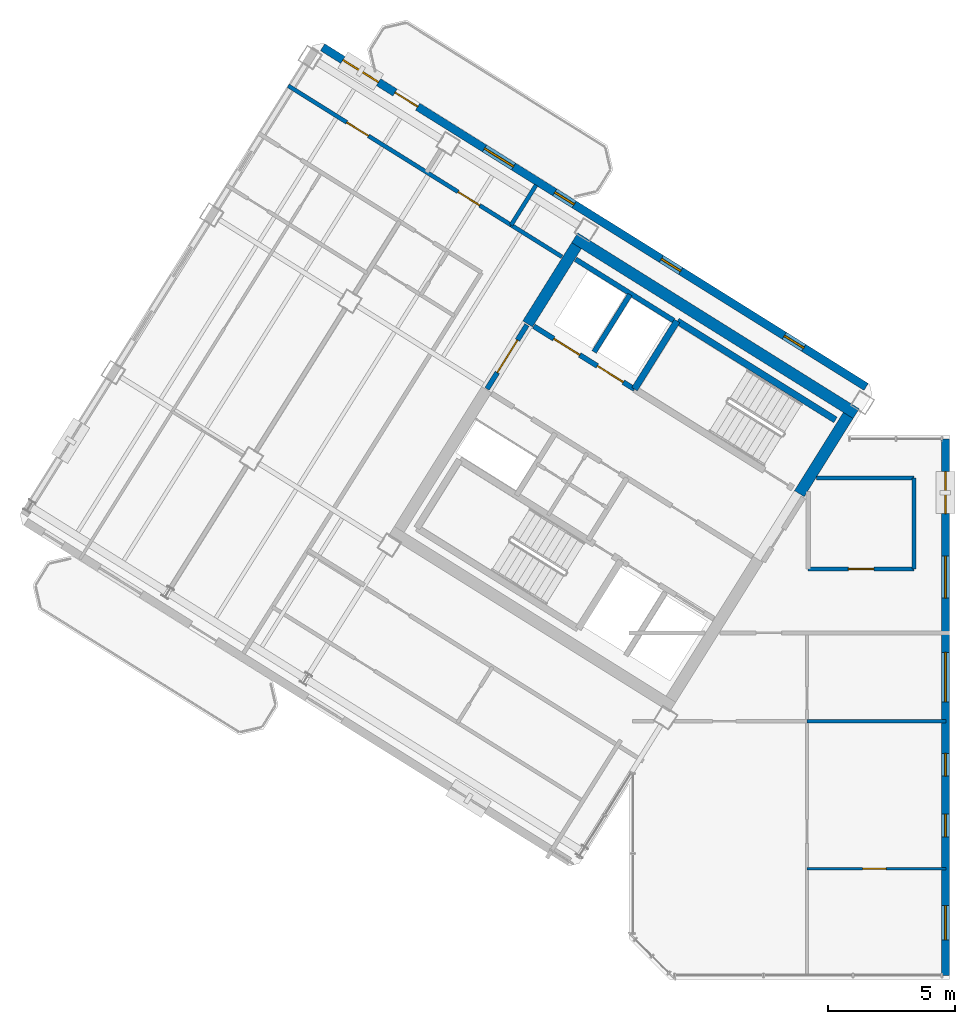
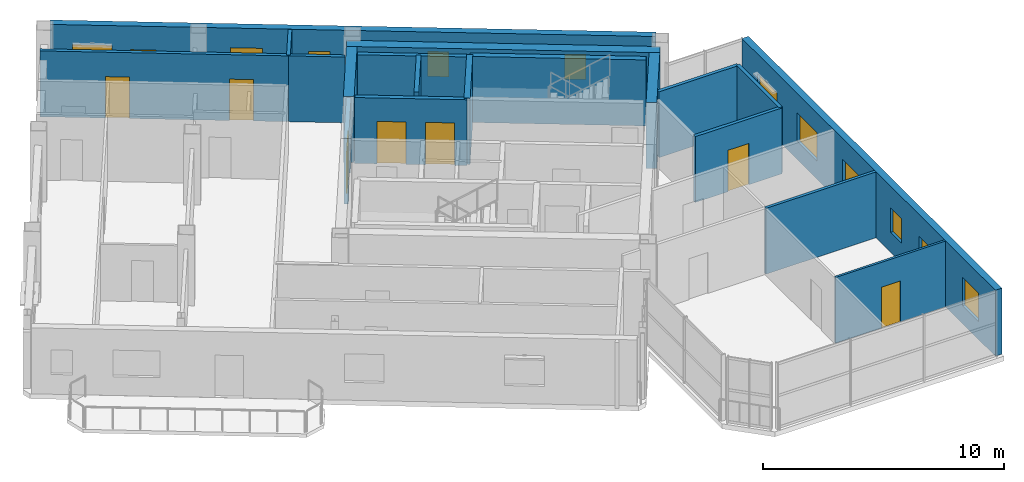
# One storey, part 9 of 12: 19 walls, 11 windows, 8 doors, 19 openings.
"""IFC4 building model written with IfcOpenShell, lengths in metres."""

from ifc_helpers import new_model, si_unit, direction, frame, frame_2d, origin, place, context, subcontext, project, spatial, rectangle, extrude, source, transform, mapped, material, layer, layer_set, type_object, element, fill, save


model = new_model("IFC4")

# Units and contexts
model_context = context("Model", 3, precision=1e-05, world=origin(), true_north=direction((0.0, 1.0)))
body_context = subcontext(model_context, "Body", "Model", "MODEL_VIEW")
ifc_project = project(units=[si_unit("LENGTHUNIT", "METRE"), si_unit("AREAUNIT", "SQUARE_METRE"), si_unit("VOLUMEUNIT", "CUBIC_METRE"), si_unit("PLANEANGLEUNIT", "RADIAN"), si_unit("MASSUNIT", "GRAM", prefix="KILO")], contexts=[model_context])

# Site, building, storey
site_placement = place(None, origin())
site = spatial("IfcSite", under=ifc_project, at=site_placement, CompositionType="ELEMENT")
building_placement = place(site_placement, origin())
building = spatial("IfcBuilding", under=site, at=building_placement, Name="Tlacorven Tower", CompositionType="ELEMENT")
storey_placement = place(building_placement, frame((0.0, 0.0, 288.0)))
storey = spatial("IfcBuildingStorey", under=building, at=storey_placement, Name="L73", CompositionType="ELEMENT", Elevation=288.0)

# Walls
ifc_material_1 = material(Name="Concrete C50/60", Category="concrete")
ifc_layer_1 = layer(ifc_material_1, 0.449951171875)
ifc_layer_set_1 = layer_set([ifc_layer_1], Name="Concrete C50/60")
wall_type_1 = type_object("IfcWallType", Name="WL-COR-450", PredefinedType="SHEAR", material=ifc_layer_set_1)
wall_1_placement = place(storey_placement, frame((40.53076171875, 24.036376953125, 0.0), z_axis=(0.0, 0.0, 1.0), x_axis=(-0.848048787466, 0.529918157905, 0.0)))
element("IfcWall", 1, at=wall_1_placement, inside=storey, type_object=wall_type_1, Name="L73 W core shear wall S1", PredefinedType="SHEAR", context=body_context, shape_type="SweptSolid", body=[
    extrude(rectangle(XDim=13.0400390625, YDim=0.449951171875, at=frame_2d((6.52001953125, 0.0))), origin(), (0.0, 0.0, 1.0), 3.35009765625),
])
for number, where, z_axis, x_axis, name in (
    (2, (40.220703125, 23.96484375, 0.0), (0.0, 0.0, 1.0), (-0.529902075036, -0.848058836916, 0.0), "L73 W core end wall E1.1"),
    (3, (29.543701171875, 30.636474609375, 0.0), (0.0, 0.0, 1.0), (-0.529902075036, -0.848058836916, 0.0), "L73 W core end wall E2.1"),
):
    element("IfcWall", number, at=place(storey_placement, frame(where, z_axis=z_axis, x_axis=x_axis)), inside=storey, type_object=wall_type_1, Name=name, PredefinedType="SHEAR", context=body_context, shape_type="SweptSolid", body=[
        extrude(rectangle(XDim=3.625, YDim=0.449951171875, at=frame_2d((1.8125, 0.0))), origin(), (0.0, 0.0, 1.0), 3.35009765625),
    ])
ifc_material_2 = material(Name="Gypsum plasterboard acoustic partition", Category="gypsum")
ifc_layer_2 = layer(ifc_material_2, 0.159912109375)
ifc_layer_set_2 = layer_set([ifc_layer_2], Name="Gypsum plasterboard acoustic partition")
wall_type_2 = type_object("IfcWallType", Name="WL-DEM-160", PredefinedType="PARTITIONING", material=ifc_layer_set_2)
wall_2_placement = place(storey_placement, frame((28.972412109375, 30.197509765625, 0.0), z_axis=(0.0, 0.0, 1.0), x_axis=(-0.848015752453, 0.529971021464, 0.0)))
element("IfcWall", 4, at=wall_2_placement, inside=storey, type_object=wall_type_2, Name="L73 partition 22", PredefinedType="PARTITIONING", context=body_context, shape_type="SweptSolid", body=[
    extrude(rectangle(XDim=2.358154296875, YDim=0.159912109375, at=frame_2d((1.17919921875, 0.0))), origin(), (0.0, 0.0, 1.0), 3.340087890625),
])
wall_3_placement = place(storey_placement, frame((27.952880859375, 33.01611328125, 0.0), z_axis=(0.0, 0.0, 1.0), x_axis=(-0.529880305451, -0.848072439061, 0.0)))
element("IfcWall", 5, at=wall_3_placement, inside=storey, type_object=wall_type_2, Name="L73 partition 24", PredefinedType="PARTITIONING", context=body_context, shape_type="SweptSolid", body=[
    extrude(rectangle(XDim=1.849853515625, YDim=0.159912109375, at=frame_2d((0.9248046875, 0.0))), origin(), (0.0, 0.0, 1.0), 3.340087890625),
])

# Wall, openings, doors
wall_4_placement = place(storey_placement, frame((26.97265625, 31.447265625, 0.0), z_axis=(0.0, 0.0, 1.0), x_axis=(-0.84805406617, 0.529909710094, 0.0)))
wall_4 = element("IfcWall", 6, at=wall_4_placement, inside=storey, type_object=wall_type_2, Name="L73 Wing W Corridor South Wall", PredefinedType="PARTITIONING", context=body_context, shape_type="SweptSolid", body=[
    extrude(rectangle(XDim=10.329833984375, YDim=0.159912109375, at=frame_2d((5.1650390625, 0.0))), origin(), (0.0, 0.0, 1.0), 3.340087890625),
])
opening_1_placement = place(wall_4_placement, frame((1.458984375, 0.0, 0.0)))
opening_1 = element("IfcOpeningElement", 7, at=opening_1_placement, cuts=wall_4, Name="Opening D11", PredefinedType="OPENING", context=body_context, shape_type="SweptSolid", body=[
    extrude(rectangle(XDim=1.0, YDim=2.10009765625, at=frame_2d((0.5, 1.050048828125))), frame((0.0, 0.08984375, 0.0), z_axis=(0.0, -1.0, 0.0), x_axis=(1.0, 0.0, 0.0)), (0.0, 0.0, 1.0), 0.179931640625),
])
opening_2_placement = place(wall_4_placement, frame((6.614013671875, 0.0, 0.0)))
opening_2 = element("IfcOpeningElement", 8, at=opening_2_placement, cuts=wall_4, Name="Opening D11", PredefinedType="OPENING", context=body_context, shape_type="SweptSolid", body=[
    extrude(rectangle(XDim=1.0, YDim=2.10009765625, at=frame_2d((0.5, 1.050048828125))), frame((0.0, 0.08984375, 0.0), z_axis=(0.0, -1.0, 0.0), x_axis=(1.0, 0.0, 0.0)), (0.0, 0.0, 1.0), 0.179931640625),
])
ifc_material_3 = material(Name="Fire-rated steel door assembly", Category="steel")
door_type_1 = type_object("IfcDoorType", Name="DR-FLT-FD60-1000", OperationType="NOTDEFINED", PredefinedType="DOOR", material=ifc_material_3)
shared_shape_1 = source(origin(), body_context, "Body", "SweptSolid", [
    extrude(rectangle(XDim=1.0, YDim=2.10009765625, at=frame_2d((0.5, 1.050048828125))), frame((0.0, 0.02490234375, 0.0), z_axis=(0.0, -1.0, 0.0), x_axis=(1.0, 0.0, 0.0)), (0.0, 0.0, 1.0), 0.050048828125),
])
door_1_placement = place(opening_1_placement, frame((1.0, 0.0, 0.0), z_axis=(0.0, 0.0, 1.0), x_axis=(-1.0, 0.0, 0.0)))
door_1 = element("IfcDoor", 9, at=door_1_placement, inside=storey, type_object=door_type_1, Name="L73 door 023", OperationType="SINGLE_SWING_RIGHT", OverallHeight=2.10009765625, OverallWidth=1.0, PredefinedType="DOOR", context=body_context, shape_type="MappedRepresentation", body=[
    mapped(shared_shape_1, transform((0.0, 0.0, 0.0), scale=1.0)),
])
fill(opening_1, door_1)
door_2_placement = place(opening_2_placement, frame((1.0, 0.0, 0.0), z_axis=(0.0, 0.0, 1.0), x_axis=(-1.0, 0.0, 0.0)))
door_2 = element("IfcDoor", 10, at=door_2_placement, inside=storey, type_object=door_type_1, Name="L73 door 024", OperationType="SINGLE_SWING_LEFT", OverallHeight=2.10009765625, OverallWidth=1.0, PredefinedType="DOOR", context=body_context, shape_type="MappedRepresentation", body=[
    mapped(shared_shape_1, transform((0.0, 0.0, 0.0), scale=1.0)),
])
fill(opening_2, door_2)

# Wall, opening, door
wall_5_placement = place(storey_placement, frame((38.64990234375, 17.929931640625, 0.0), z_axis=(0.0, 0.0, 1.0), x_axis=(1.0, 0.0, 0.0)))
wall_5 = element("IfcWall", 11, at=wall_5_placement, inside=storey, type_object=wall_type_2, Name="L73 partition 43", PredefinedType="PARTITIONING", context=body_context, shape_type="SweptSolid", body=[
    extrude(rectangle(XDim=4.150146484375, YDim=0.159912109375, at=frame_2d((2.0751953125, 0.0))), origin(), (0.0, 0.0, 1.0), 3.340087890625),
])
opening_3_placement = place(wall_5_placement, frame((1.574951171875, 0.0, 0.0)))
opening_3 = element("IfcOpeningElement", 12, at=opening_3_placement, cuts=wall_5, Name="Opening D11", PredefinedType="OPENING", context=body_context, shape_type="SweptSolid", body=[
    extrude(rectangle(XDim=1.0, YDim=2.10009765625, at=frame_2d((0.5, 1.050048828125))), frame((0.0, 0.08984375, 0.0), z_axis=(0.0, -1.0, 0.0), x_axis=(1.0, 0.0, 0.0)), (0.0, 0.0, 1.0), 0.179931640625),
])
door_3_placement = place(opening_3_placement, origin())
door_3 = element("IfcDoor", 13, at=door_3_placement, inside=storey, type_object=door_type_1, Name="L73 door 028", OperationType="SINGLE_SWING_LEFT", OverallHeight=2.10009765625, OverallWidth=1.0, PredefinedType="DOOR", context=body_context, shape_type="MappedRepresentation", body=[
    mapped(shared_shape_1, transform((0.0, 0.0, 0.0), scale=1.0)),
])
fill(opening_3, door_3)

# Walls
wall_6_placement = place(storey_placement, frame((42.800048828125, 17.929931640625, 0.0), z_axis=(0.0, 0.0, 1.0), x_axis=(0.0, 1.0, 0.0)))
element("IfcWall", 14, at=wall_6_placement, inside=storey, type_object=wall_type_2, Name="L73 partition 45", PredefinedType="PARTITIONING", context=body_context, shape_type="SweptSolid", body=[
    extrude(rectangle(XDim=3.570068359375, YDim=0.159912109375, at=frame_2d((1.78515625, 0.0))), origin(), (0.0, 0.0, 1.0), 3.340087890625),
])
wall_7_placement = place(storey_placement, frame((38.9775390625, 21.5, 0.0), z_axis=(0.0, 0.0, 1.0), x_axis=(1.0, 0.0, 0.0)))
element("IfcWall", 15, at=wall_7_placement, inside=storey, type_object=wall_type_2, Name="L73 partition 46", PredefinedType="PARTITIONING", context=body_context, shape_type="SweptSolid", body=[
    extrude(rectangle(XDim=3.822509765625, YDim=0.159912109375, at=frame_2d((1.9111328125, 0.0))), origin(), (0.0, 0.0, 1.0), 3.340087890625),
])

# Wall, openings, windows
ifc_material_4 = material(Name="Precast concrete C45/55", Category="concrete")
ifc_layer_3 = layer(ifc_material_4, 0.320068359375)
ifc_layer_set_3 = layer_set([ifc_layer_3], Name="Precast concrete C45/55")
wall_type_3 = type_object("IfcWallType", Name="WL-EXT-320", PredefinedType="STANDARD", material=ifc_layer_set_3)
wall_8_placement = place(storey_placement, frame((44.0400390625, 23.0400390625, 0.0), z_axis=(0.0, 0.0, 1.0), x_axis=(0.0, -1.0, 0.0)))
wall_8 = element("IfcWall", 16, at=wall_8_placement, inside=storey, type_object=wall_type_3, Name="L73 Masonry-Frame Recessed Facade Wall 1", PredefinedType="STANDARD", context=body_context, shape_type="SweptSolid", body=[
    extrude(rectangle(XDim=21.080078125, YDim=0.320068359375, at=frame_2d((10.5400390625, 0.0))), origin(), (0.0, 0.0, 1.0), 3.35009765625),
])
opening_4_placement = place(wall_8_placement, frame((1.284912109375, 0.0, 0.89990234375)))
opening_4 = element("IfcOpeningElement", 17, at=opening_4_placement, cuts=wall_8, Name="Opening WN07", PredefinedType="OPENING", context=body_context, shape_type="SweptSolid", body=[
    extrude(rectangle(XDim=1.64990234375, YDim=1.449951171875, at=frame_2d((0.824951171875, 0.72509765625))), frame((0.0, 0.169921875, 0.0), z_axis=(0.0, -1.0, 0.0), x_axis=(1.0, 0.0, 0.0)), (0.0, 0.0, 1.0), 0.340087890625),
])
opening_5_placement = place(wall_8_placement, frame((4.60498046875, 0.0, 0.89990234375)))
opening_5 = element("IfcOpeningElement", 18, at=opening_5_placement, cuts=wall_8, Name="Opening WN07", PredefinedType="OPENING", context=body_context, shape_type="SweptSolid", body=[
    extrude(rectangle(XDim=1.64990234375, YDim=1.449951171875, at=frame_2d((0.824951171875, 0.72509765625))), frame((0.0, 0.169921875, 0.0), z_axis=(0.0, -1.0, 0.0), x_axis=(1.0, 0.0, 0.0)), (0.0, 0.0, 1.0), 0.340087890625),
])
opening_6_placement = place(wall_8_placement, frame((8.385009765625, 0.0, 0.949951171875)))
opening_6 = element("IfcOpeningElement", 19, at=opening_6_placement, cuts=wall_8, Name="Opening WN09", PredefinedType="OPENING", context=body_context, shape_type="SweptSolid", body=[
    extrude(rectangle(XDim=1.949951171875, YDim=1.35009765625, at=frame_2d((0.97509765625, 0.675048828125))), frame((0.0, 0.169921875, 0.0), z_axis=(0.0, -1.0, 0.0), x_axis=(1.0, 0.0, 0.0)), (0.0, 0.0, 1.0), 0.340087890625),
])
opening_7_placement = place(wall_8_placement, frame((12.353759765625, 0.0, 1.0)))
opening_7 = element("IfcOpeningElement", 20, at=opening_7_placement, cuts=wall_8, Name="Opening WN05", PredefinedType="OPENING", context=body_context, shape_type="SweptSolid", body=[
    extrude(rectangle(XDim=0.89990234375, YDim=1.25, at=frame_2d((0.449951171875, 0.625))), frame((0.0, 0.169921875, 0.0), z_axis=(0.0, -1.0, 0.0), x_axis=(1.0, 0.0, 0.0)), (0.0, 0.0, 1.0), 0.340087890625),
])
opening_8_placement = place(wall_8_placement, frame((14.7412109375, 0.0, 1.0)))
opening_8 = element("IfcOpeningElement", 21, at=opening_8_placement, cuts=wall_8, Name="Opening WN05", PredefinedType="OPENING", context=body_context, shape_type="SweptSolid", body=[
    extrude(rectangle(XDim=0.89990234375, YDim=1.25, at=frame_2d((0.449951171875, 0.625))), frame((0.0, 0.169921875, 0.0), z_axis=(0.0, -1.0, 0.0), x_axis=(1.0, 0.0, 0.0)), (0.0, 0.0, 1.0), 0.340087890625),
])
opening_9_placement = place(wall_8_placement, frame((18.33740234375, 0.0, 0.89990234375)))
opening_9 = element("IfcOpeningElement", 22, at=opening_9_placement, cuts=wall_8, Name="Opening WN08", PredefinedType="OPENING", context=body_context, shape_type="SweptSolid", body=[
    extrude(rectangle(XDim=1.35009765625, YDim=1.449951171875, at=frame_2d((0.675048828125, 0.72509765625))), frame((0.0, 0.169921875, 0.0), z_axis=(0.0, -1.0, 0.0), x_axis=(1.0, 0.0, 0.0)), (0.0, 0.0, 1.0), 0.340087890625),
])
ifc_material_5 = material(Name="Dark solar low-E double glazing in anodised aluminium frame", Category="aluminium")
window_type_1 = type_object("IfcWindowType", Name="WN-APT-0900X1350", PartitioningType="SINGLE_PANEL", PredefinedType="WINDOW", material=ifc_material_5)
shared_shape_2 = source(origin(), body_context, "Body", "SweptSolid", [
    extrude(rectangle(XDim=0.89990234375, YDim=1.25, at=frame_2d((0.449951171875, 0.625))), frame((0.0, 0.030029296875, 0.0), z_axis=(0.0, -1.0, 0.0), x_axis=(1.0, 0.0, 0.0)), (0.0, 0.0, 1.0), 0.06005859375),
])
window_1_placement = place(opening_7_placement, origin())
window_1 = element("IfcWindow", 23, at=window_1_placement, inside=storey, type_object=window_type_1, Name="L73 Recessed Masonry-Frame Window L73-01.4", OverallHeight=1.25, OverallWidth=0.89990234375, PartitioningType="SINGLE_PANEL", PredefinedType="WINDOW", context=body_context, shape_type="MappedRepresentation", body=[
    mapped(shared_shape_2, transform((0.0, 0.0, 0.0), scale=1.0)),
])
fill(opening_7, window_1)
window_2_placement = place(opening_8_placement, origin())
window_2 = element("IfcWindow", 24, at=window_2_placement, inside=storey, type_object=window_type_1, Name="L73 Recessed Masonry-Frame Window L73-01.5", OverallHeight=1.25, OverallWidth=0.89990234375, PartitioningType="SINGLE_PANEL", PredefinedType="WINDOW", context=body_context, shape_type="MappedRepresentation", body=[
    mapped(shared_shape_2, transform((0.0, 0.0, 0.0), scale=1.0)),
])
fill(opening_8, window_2)
window_type_2 = type_object("IfcWindowType", Name="WN-APT-1650X1600", PartitioningType="SINGLE_PANEL", PredefinedType="WINDOW", material=ifc_material_5)
shared_shape_3 = source(origin(), body_context, "Body", "SweptSolid", [
    extrude(rectangle(XDim=1.64990234375, YDim=1.449951171875, at=frame_2d((0.824951171875, 0.72509765625))), frame((0.0, 0.030029296875, 0.0), z_axis=(0.0, -1.0, 0.0), x_axis=(1.0, 0.0, 0.0)), (0.0, 0.0, 1.0), 0.06005859375),
])
window_3_placement = place(opening_4_placement, origin())
window_3 = element("IfcWindow", 25, at=window_3_placement, inside=storey, type_object=window_type_2, Name="L73 Recessed Masonry-Frame Window L73-01.1", OverallHeight=1.449951171875, OverallWidth=1.64990234375, PartitioningType="SINGLE_PANEL", PredefinedType="WINDOW", context=body_context, shape_type="MappedRepresentation", body=[
    mapped(shared_shape_3, transform((0.0, 0.0, 0.0), scale=1.0)),
])
fill(opening_4, window_3)
window_4_placement = place(opening_5_placement, origin())
window_4 = element("IfcWindow", 26, at=window_4_placement, inside=storey, type_object=window_type_2, Name="L73 Recessed Masonry-Frame Window L73-01.2", OverallHeight=1.449951171875, OverallWidth=1.64990234375, PartitioningType="SINGLE_PANEL", PredefinedType="WINDOW", context=body_context, shape_type="MappedRepresentation", body=[
    mapped(shared_shape_3, transform((0.0, 0.0, 0.0), scale=1.0)),
])
fill(opening_5, window_4)
window_type_3 = type_object("IfcWindowType", Name="WN-APT-1350X1550", PartitioningType="SINGLE_PANEL", PredefinedType="WINDOW", material=ifc_material_5)
shared_shape_4 = source(origin(), body_context, "Body", "SweptSolid", [
    extrude(rectangle(XDim=1.35009765625, YDim=1.449951171875, at=frame_2d((0.675048828125, 0.72509765625))), frame((0.0, 0.030029296875, 0.0), z_axis=(0.0, -1.0, 0.0), x_axis=(1.0, 0.0, 0.0)), (0.0, 0.0, 1.0), 0.06005859375),
])
window_5_placement = place(opening_9_placement, origin())
window_5 = element("IfcWindow", 27, at=window_5_placement, inside=storey, type_object=window_type_3, Name="L73 Recessed Masonry-Frame Window L73-01.6", OverallHeight=1.449951171875, OverallWidth=1.35009765625, PartitioningType="SINGLE_PANEL", PredefinedType="WINDOW", context=body_context, shape_type="MappedRepresentation", body=[
    mapped(shared_shape_4, transform((0.0, 0.0, 0.0), scale=1.0)),
])
fill(opening_9, window_5)
window_type_4 = type_object("IfcWindowType", Name="WN-GAL-1950X1450", PartitioningType="SINGLE_PANEL", PredefinedType="WINDOW", material=ifc_material_5)
shared_shape_5 = source(origin(), body_context, "Body", "SweptSolid", [
    extrude(rectangle(XDim=1.949951171875, YDim=1.35009765625, at=frame_2d((0.97509765625, 0.675048828125))), frame((0.0, 0.030029296875, 0.0), z_axis=(0.0, -1.0, 0.0), x_axis=(1.0, 0.0, 0.0)), (0.0, 0.0, 1.0), 0.06005859375),
])
window_6_placement = place(opening_6_placement, origin())
window_6 = element("IfcWindow", 28, at=window_6_placement, inside=storey, type_object=window_type_4, Name="L73 Recessed Masonry-Frame Window L73-01.3", OverallHeight=1.35009765625, OverallWidth=1.949951171875, PartitioningType="SINGLE_PANEL", PredefinedType="WINDOW", context=body_context, shape_type="MappedRepresentation", body=[
    mapped(shared_shape_5, transform((0.0, 0.0, 0.0), scale=1.0)),
])
fill(opening_6, window_6)

# Wall, openings, door, windows
wall_9_placement = place(storey_placement, frame((19.56591796875, 38.433837890625, 0.0), z_axis=(0.0, 0.0, 1.0), x_axis=(0.84804567626, -0.529923136858, 0.0)))
wall_9 = element("IfcWall", 29, at=wall_9_placement, inside=storey, type_object=wall_type_3, Name="L73 Masonry-Frame Recessed Facade Wall 4", PredefinedType="STANDARD", context=body_context, shape_type="SweptSolid", body=[
    extrude(rectangle(XDim=25.1875, YDim=0.320068359375, at=frame_2d((12.59375, 0.0))), origin(), (0.0, 0.0, 1.0), 3.35009765625),
])
opening_10_placement = place(wall_9_placement, frame((3.355224609375, 0.0, 0.0)))
opening_10 = element("IfcOpeningElement", 30, at=opening_10_placement, cuts=wall_9, Name="Opening D06", PredefinedType="OPENING", context=body_context, shape_type="SweptSolid", body=[
    extrude(rectangle(XDim=1.050048828125, YDim=2.14990234375, at=frame_2d((0.52490234375, 1.074951171875))), frame((0.0, 0.169921875, 0.0), z_axis=(0.0, -1.0, 0.0), x_axis=(1.0, 0.0, 0.0)), (0.0, 0.0, 1.0), 0.340087890625),
])
opening_11_placement = place(wall_9_placement, frame((0.939453125, 0.0, 0.89990234375)))
opening_11 = element("IfcOpeningElement", 31, at=opening_11_placement, cuts=wall_9, Name="Opening WN07", PredefinedType="OPENING", context=body_context, shape_type="SweptSolid", body=[
    extrude(rectangle(XDim=1.64990234375, YDim=1.449951171875, at=frame_2d((0.824951171875, 0.72509765625))), frame((0.0, 0.169921875, 0.0), z_axis=(0.0, -1.0, 0.0), x_axis=(1.0, 0.0, 0.0)), (0.0, 0.0, 1.0), 0.340087890625),
])
opening_12_placement = place(wall_9_placement, frame((7.498779296875, 0.0, 0.89990234375)))
opening_12 = element("IfcOpeningElement", 32, at=opening_12_placement, cuts=wall_9, Name="Opening WN08", PredefinedType="OPENING", context=body_context, shape_type="SweptSolid", body=[
    extrude(rectangle(XDim=1.35009765625, YDim=1.449951171875, at=frame_2d((0.675048828125, 0.72509765625))), frame((0.0, 0.169921875, 0.0), z_axis=(0.0, -1.0, 0.0), x_axis=(1.0, 0.0, 0.0)), (0.0, 0.0, 1.0), 0.340087890625),
])
opening_13_placement = place(wall_9_placement, frame((10.753662109375, 0.0, 1.0)))
opening_13 = element("IfcOpeningElement", 33, at=opening_13_placement, cuts=wall_9, Name="Opening WN05", PredefinedType="OPENING", context=body_context, shape_type="SweptSolid", body=[
    extrude(rectangle(XDim=0.89990234375, YDim=1.25, at=frame_2d((0.449951171875, 0.625))), frame((0.0, 0.169921875, 0.0), z_axis=(0.0, -1.0, 0.0), x_axis=(1.0, 0.0, 0.0)), (0.0, 0.0, 1.0), 0.340087890625),
])
opening_14_placement = place(wall_9_placement, frame((15.693603515625, 0.0, 1.0)))
opening_14 = element("IfcOpeningElement", 34, at=opening_14_placement, cuts=wall_9, Name="Opening WN05", PredefinedType="OPENING", context=body_context, shape_type="SweptSolid", body=[
    extrude(rectangle(XDim=0.89990234375, YDim=1.25, at=frame_2d((0.449951171875, 0.625))), frame((0.0, 0.169921875, 0.0), z_axis=(0.0, -1.0, 0.0), x_axis=(1.0, 0.0, 0.0)), (0.0, 0.0, 1.0), 0.340087890625),
])
opening_15_placement = place(wall_9_placement, frame((21.393798828125, 0.0, 1.0)))
opening_15 = element("IfcOpeningElement", 35, at=opening_15_placement, cuts=wall_9, Name="Opening WN05", PredefinedType="OPENING", context=body_context, shape_type="SweptSolid", body=[
    extrude(rectangle(XDim=0.89990234375, YDim=1.25, at=frame_2d((0.449951171875, 0.625))), frame((0.0, 0.169921875, 0.0), z_axis=(0.0, -1.0, 0.0), x_axis=(1.0, 0.0, 0.0)), (0.0, 0.0, 1.0), 0.340087890625),
])
ifc_material_6 = material(Name="Powder-coated aluminium and timber door", Category="wood")
door_type_2 = type_object("IfcDoorType", Name="DR-EXT-BALC-1050", OperationType="NOTDEFINED", PredefinedType="DOOR", material=ifc_material_6)
shared_shape_6 = source(origin(), body_context, "Body", "SweptSolid", [
    extrude(rectangle(XDim=1.050048828125, YDim=2.14990234375, at=frame_2d((0.52490234375, 1.074951171875))), frame((0.0, 0.02490234375, 0.0), z_axis=(0.0, -1.0, 0.0), x_axis=(1.0, 0.0, 0.0)), (0.0, 0.0, 1.0), 0.050048828125),
])
door_4_placement = place(opening_10_placement, origin())
door_4 = element("IfcDoor", 36, at=door_4_placement, inside=storey, type_object=door_type_2, Name="L73 Outdoor Access Door BAL-L73-W-IN", OperationType="SINGLE_SWING_RIGHT", OverallHeight=2.14990234375, OverallWidth=1.050048828125, PredefinedType="DOOR", context=body_context, shape_type="MappedRepresentation", body=[
    mapped(shared_shape_6, transform((0.0, 0.0, 0.0), scale=1.0)),
])
fill(opening_10, door_4)
window_7_placement = place(opening_13_placement, origin())
window_7 = element("IfcWindow", 37, at=window_7_placement, inside=storey, type_object=window_type_1, Name="L73 Recessed Masonry-Frame Window L73-04.3", OverallHeight=1.25, OverallWidth=0.89990234375, PartitioningType="SINGLE_PANEL", PredefinedType="WINDOW", context=body_context, shape_type="MappedRepresentation", body=[
    mapped(shared_shape_2, transform((0.0, 0.0, 0.0), scale=1.0)),
])
fill(opening_13, window_7)
window_8_placement = place(opening_14_placement, origin())
window_8 = element("IfcWindow", 38, at=window_8_placement, inside=storey, type_object=window_type_1, Name="L73 Recessed Masonry-Frame Window L73-04.4", OverallHeight=1.25, OverallWidth=0.89990234375, PartitioningType="SINGLE_PANEL", PredefinedType="WINDOW", context=body_context, shape_type="MappedRepresentation", body=[
    mapped(shared_shape_2, transform((0.0, 0.0, 0.0), scale=1.0)),
])
fill(opening_14, window_8)
window_9_placement = place(opening_15_placement, origin())
window_9 = element("IfcWindow", 39, at=window_9_placement, inside=storey, type_object=window_type_1, Name="L73 Recessed Masonry-Frame Window L73-04.5", OverallHeight=1.25, OverallWidth=0.89990234375, PartitioningType="SINGLE_PANEL", PredefinedType="WINDOW", context=body_context, shape_type="MappedRepresentation", body=[
    mapped(shared_shape_2, transform((0.0, 0.0, 0.0), scale=1.0)),
])
fill(opening_15, window_9)
window_10_placement = place(opening_11_placement, origin())
window_10 = element("IfcWindow", 40, at=window_10_placement, inside=storey, type_object=window_type_2, Name="L73 Recessed Masonry-Frame Window L73-04.1", OverallHeight=1.449951171875, OverallWidth=1.64990234375, PartitioningType="SINGLE_PANEL", PredefinedType="WINDOW", context=body_context, shape_type="MappedRepresentation", body=[
    mapped(shared_shape_3, transform((0.0, 0.0, 0.0), scale=1.0)),
])
fill(opening_11, window_10)
window_11_placement = place(opening_12_placement, origin())
window_11 = element("IfcWindow", 41, at=window_11_placement, inside=storey, type_object=window_type_3, Name="L73 Recessed Masonry-Frame Window L73-04.2", OverallHeight=1.449951171875, OverallWidth=1.35009765625, PartitioningType="SINGLE_PANEL", PredefinedType="WINDOW", context=body_context, shape_type="MappedRepresentation", body=[
    mapped(shared_shape_4, transform((0.0, 0.0, 0.0), scale=1.0)),
])
fill(opening_12, window_11)

# Wall, opening, door
ifc_material_7 = material(Name="Gypsum plasterboard partition", Category="gypsum")
ifc_layer_4 = layer(ifc_material_7, 0.110107421875)
ifc_layer_set_4 = layer_set([ifc_layer_4], Name="Gypsum plasterboard partition")
wall_type_4 = type_object("IfcWallType", Name="WL-INT-110", PredefinedType="PARTITIONING", material=ifc_layer_set_4)
wall_10_placement = place(storey_placement, frame((38.60009765625, 6.14990234375, 0.0), z_axis=(0.0, 0.0, 1.0), x_axis=(1.0, 0.0, 0.0)))
wall_10 = element("IfcWall", 42, at=wall_10_placement, inside=storey, type_object=wall_type_4, Name="L73 partition 50", PredefinedType="PARTITIONING", context=body_context, shape_type="SweptSolid", body=[
    extrude(rectangle(XDim=5.4599609375, YDim=0.110107421875, at=frame_2d((2.72998046875, 0.0))), origin(), (0.0, 0.0, 1.0), 3.340087890625),
])
opening_16_placement = place(wall_10_placement, frame((2.18994140625, 0.0, 0.0)))
opening_16 = element("IfcOpeningElement", 43, at=opening_16_placement, cuts=wall_10, Name="Opening D12", PredefinedType="OPENING", context=body_context, shape_type="SweptSolid", body=[
    extrude(rectangle(XDim=0.919921875, YDim=2.080078125, at=frame_2d((0.4599609375, 1.0400390625))), frame((0.0, 0.06494140625, 0.0), z_axis=(0.0, -1.0, 0.0), x_axis=(1.0, 0.0, 0.0)), (0.0, 0.0, 1.0), 0.130126953125),
])
door_type_3 = type_object("IfcDoorType", Name="DR-INT-ROOM-0920", OperationType="NOTDEFINED", PredefinedType="DOOR", material=ifc_material_6)
shared_shape_7 = source(origin(), body_context, "Body", "SweptSolid", [
    extrude(rectangle(XDim=0.919921875, YDim=2.080078125, at=frame_2d((0.4599609375, 1.0400390625))), frame((0.0, 0.02490234375, 0.0), z_axis=(0.0, -1.0, 0.0), x_axis=(1.0, 0.0, 0.0)), (0.0, 0.0, 1.0), 0.050048828125),
])
door_5_placement = place(opening_16_placement, origin())
door_5 = element("IfcDoor", 44, at=door_5_placement, inside=storey, type_object=door_type_3, Name="L73 door 031", OperationType="SINGLE_SWING_LEFT", OverallHeight=2.080078125, OverallWidth=0.919921875, PredefinedType="DOOR", context=body_context, shape_type="MappedRepresentation", body=[
    mapped(shared_shape_7, transform((0.0, 0.0, 0.0), scale=1.0)),
])
fill(opening_16, door_5)

# Wall
ifc_material_8 = material(Name="Moisture-resistant gypsum plumbing wall", Category="gypsum")
ifc_layer_5 = layer(ifc_material_8, 0.139892578125)
ifc_layer_set_5 = layer_set([ifc_layer_5], Name="Moisture-resistant gypsum plumbing wall")
wall_type_5 = type_object("IfcWallType", Name="WL-PLM-140", PredefinedType="PLUMBINGWALL", material=ifc_layer_set_5)
wall_11_placement = place(storey_placement, frame((38.60009765625, 11.949951171875, 0.0), z_axis=(0.0, 0.0, 1.0), x_axis=(1.0, 0.0, 0.0)))
element("IfcWall", 45, at=wall_11_placement, inside=storey, type_object=wall_type_5, Name="L73 partition 49", PredefinedType="PLUMBINGWALL", context=body_context, shape_type="SweptSolid", body=[
    extrude(rectangle(XDim=5.4599609375, YDim=0.139892578125, at=frame_2d((2.72998046875, 0.0))), origin(), (0.0, 0.0, 1.0), 3.340087890625),
])

# Wall, openings, doors
ifc_material_9 = material(Name="Concrete C40/50", Category="concrete")
ifc_layer_6 = layer(ifc_material_9, 0.199951171875)
ifc_layer_set_6 = layer_set([ifc_layer_6], Name="Concrete C40/50")
wall_type_6 = type_object("IfcWallType", Name="WL-SHF-200", PredefinedType="STANDARD", material=ifc_layer_set_6)
wall_12_placement = place(storey_placement, frame((31.82177734375, 24.99755859375, 0.0), z_axis=(0.0, 0.0, 1.0), x_axis=(-0.848054125777, 0.529909614701, 0.0)))
wall_12 = element("IfcWall", 46, at=wall_12_placement, inside=storey, type_object=wall_type_6, Name="L73 Core W South Lift Shaft Wall", PredefinedType="STANDARD", context=body_context, shape_type="SweptSolid", body=[
    extrude(rectangle(XDim=4.66796875, YDim=0.199951171875, at=frame_2d((2.333984375, 0.0))), origin(), (0.0, 0.0, 1.0), 3.340087890625),
])
opening_17_placement = place(wall_12_placement, frame((0.52001953125, 0.0, 0.0)))
opening_17 = element("IfcOpeningElement", 47, at=opening_17_placement, cuts=wall_12, Name="Opening LD02", PredefinedType="OPENING", context=body_context, shape_type="SweptSolid", body=[
    extrude(rectangle(XDim=1.199951171875, YDim=2.14990234375, at=frame_2d((0.60009765625, 1.074951171875))), frame((0.0, 0.10986328125, 0.0), z_axis=(0.0, -1.0, 0.0), x_axis=(1.0, 0.0, 0.0)), (0.0, 0.0, 1.0), 0.219970703125),
])
opening_18_placement = place(wall_12_placement, frame((2.5400390625, 0.0, 0.0)))
opening_18 = element("IfcOpeningElement", 48, at=opening_18_placement, cuts=wall_12, Name="Opening LD02", PredefinedType="OPENING", context=body_context, shape_type="SweptSolid", body=[
    extrude(rectangle(XDim=1.199951171875, YDim=2.14990234375, at=frame_2d((0.60009765625, 1.074951171875))), frame((0.0, 0.10986328125, 0.0), z_axis=(0.0, -1.0, 0.0), x_axis=(1.0, 0.0, 0.0)), (0.0, 0.0, 1.0), 0.219970703125),
])
door_type_4 = type_object("IfcDoorType", Name="DR-LFT-SLID-1200", OperationType="DOUBLE_DOOR_SLIDING", PredefinedType="DOOR", material=ifc_material_3)
shared_shape_8 = source(origin(), body_context, "Body", "SweptSolid", [
    extrude(rectangle(XDim=1.199951171875, YDim=2.14990234375, at=frame_2d((0.60009765625, 1.074951171875))), frame((0.0, 0.02490234375, 0.0), z_axis=(0.0, -1.0, 0.0), x_axis=(1.0, 0.0, 0.0)), (0.0, 0.0, 1.0), 0.050048828125),
])
door_6_placement = place(opening_17_placement, origin())
door_6 = element("IfcDoor", 49, at=door_6_placement, inside=storey, type_object=door_type_4, Name="L73 Lift PL-H1 Sliding Landing Door", OperationType="DOUBLE_DOOR_SLIDING", OverallHeight=2.14990234375, OverallWidth=1.199951171875, PredefinedType="DOOR", context=body_context, shape_type="MappedRepresentation", body=[
    mapped(shared_shape_8, transform((0.0, 0.0, 0.0), scale=1.0)),
])
fill(opening_17, door_6)
door_7_placement = place(opening_18_placement, origin())
door_7 = element("IfcDoor", 50, at=door_7_placement, inside=storey, type_object=door_type_4, Name="L73 Lift PL-H2 Sliding Landing Door", OperationType="DOUBLE_DOOR_SLIDING", OverallHeight=2.14990234375, OverallWidth=1.199951171875, PredefinedType="DOOR", context=body_context, shape_type="MappedRepresentation", body=[
    mapped(shared_shape_8, transform((0.0, 0.0, 0.0), scale=1.0)),
])
fill(opening_18, door_7)

# Walls
wall_13_placement = place(storey_placement, frame((31.645263671875, 28.716064453125, 0.0), z_axis=(0.0, 0.0, 1.0), x_axis=(-0.52986693015, -0.848080795876, 0.0)))
element("IfcWall", 51, at=wall_13_placement, inside=storey, type_object=wall_type_6, Name="L73 partition 12", PredefinedType="STANDARD", context=body_context, shape_type="SweptSolid", body=[
    extrude(rectangle(XDim=2.659912109375, YDim=0.199951171875, at=frame_2d((1.330078125, 0.0))), origin(), (0.0, 0.0, 1.0), 3.340087890625),
])
wall_14_placement = place(storey_placement, frame((33.362548828125, 27.690185546875, 0.0), z_axis=(0.0, 0.0, 1.0), x_axis=(-0.84804957148, 0.529916903215, 0.0)))
element("IfcWall", 52, at=wall_14_placement, inside=storey, type_object=wall_type_6, Name="L73 partition 14", PredefinedType="STANDARD", context=body_context, shape_type="SweptSolid", body=[
    extrude(rectangle(XDim=4.547607421875, YDim=0.199951171875, at=frame_2d((2.27392578125, 0.0))), origin(), (0.0, 0.0, 1.0), 3.340087890625),
])

# Wall, opening, door
wall_15_placement = place(storey_placement, frame((27.59619140625, 27.52001953125, 0.0), z_axis=(0.0, 0.0, 1.0), x_axis=(-0.529865479138, -0.848081702443, 0.0)))
wall_15 = element("IfcWall", 53, at=wall_15_placement, inside=storey, type_object=wall_type_6, Name="L73 partition 21", PredefinedType="STANDARD", context=body_context, shape_type="SweptSolid", body=[
    extrude(rectangle(XDim=2.9599609375, YDim=0.199951171875, at=frame_2d((1.47998046875, 0.0))), origin(), (0.0, 0.0, 1.0), 3.340087890625),
])
opening_19_placement = place(wall_15_placement, frame((0.699951171875, 0.0, 0.0)))
opening_19 = element("IfcOpeningElement", 54, at=opening_19_placement, cuts=wall_15, Name="Opening D10", PredefinedType="OPENING", context=body_context, shape_type="SweptSolid", body=[
    extrude(rectangle(XDim=1.5, YDim=2.14990234375, at=frame_2d((0.75, 1.074951171875))), frame((0.0, 0.10986328125, 0.0), z_axis=(0.0, -1.0, 0.0), x_axis=(1.0, 0.0, 0.0)), (0.0, 0.0, 1.0), 0.219970703125),
])
door_type_5 = type_object("IfcDoorType", Name="DR-LOB-FD60-1500", OperationType="DOUBLE_DOOR_SINGLE_SWING", PredefinedType="DOOR", material=ifc_material_3)
shared_shape_9 = source(origin(), body_context, "Body", "SweptSolid", [
    extrude(rectangle(XDim=1.5, YDim=2.14990234375, at=frame_2d((0.75, 1.074951171875))), frame((0.0, 0.02490234375, 0.0), z_axis=(0.0, -1.0, 0.0), x_axis=(1.0, 0.0, 0.0)), (0.0, 0.0, 1.0), 0.050048828125),
])
door_8_placement = place(opening_19_placement, origin())
door_8 = element("IfcDoor", 55, at=door_8_placement, inside=storey, type_object=door_type_5, Name="L73 door 013", OperationType="DOUBLE_DOOR_SINGLE_SWING", OverallHeight=2.14990234375, OverallWidth=1.5, PredefinedType="DOOR", context=body_context, shape_type="MappedRepresentation", body=[
    mapped(shared_shape_9, transform((0.0, 0.0, 0.0), scale=1.0)),
])
fill(opening_19, door_8)

# Walls
ifc_layer_7 = layer(ifc_material_1, 0.260009765625)
ifc_layer_set_7 = layer_set([ifc_layer_7], Name="Concrete C50/60")
wall_type_7 = type_object("IfcWallType", Name="WL-STW-260", PredefinedType="SHEAR", material=ifc_layer_set_7)
wall_16_placement = place(storey_placement, frame((39.720947265625, 23.787841796875, 0.0), z_axis=(0.0, 0.0, 1.0), x_axis=(-0.848054434086, 0.529909121291, 0.0)))
element("IfcWall", 56, at=wall_16_placement, inside=storey, type_object=wall_type_7, Name="L73 Stair W2 Far Shear Wall", PredefinedType="SHEAR", context=body_context, shape_type="SweptSolid", body=[
    extrude(rectangle(XDim=7.330078125, YDim=0.260009765625, at=frame_2d((3.6650390625, 0.0))), origin(), (0.0, 0.0, 1.0), 3.35009765625),
])
wall_17_placement = place(storey_placement, frame((33.496337890625, 27.677490234375, 0.0), z_axis=(0.0, 0.0, 1.0), x_axis=(-0.529908658664, -0.84805472316, 0.0)))
element("IfcWall", 57, at=wall_17_placement, inside=storey, type_object=wall_type_7, Name="L73 Stair W2 East Shear Wall", PredefinedType="SHEAR", context=body_context, shape_type="SweptSolid", body=[
    extrude(rectangle(XDim=3.16015625, YDim=0.260009765625, at=frame_2d((1.580078125, 0.0))), origin(), (0.0, 0.0, 1.0), 3.35009765625),
])

save(model, "model.ifc")
